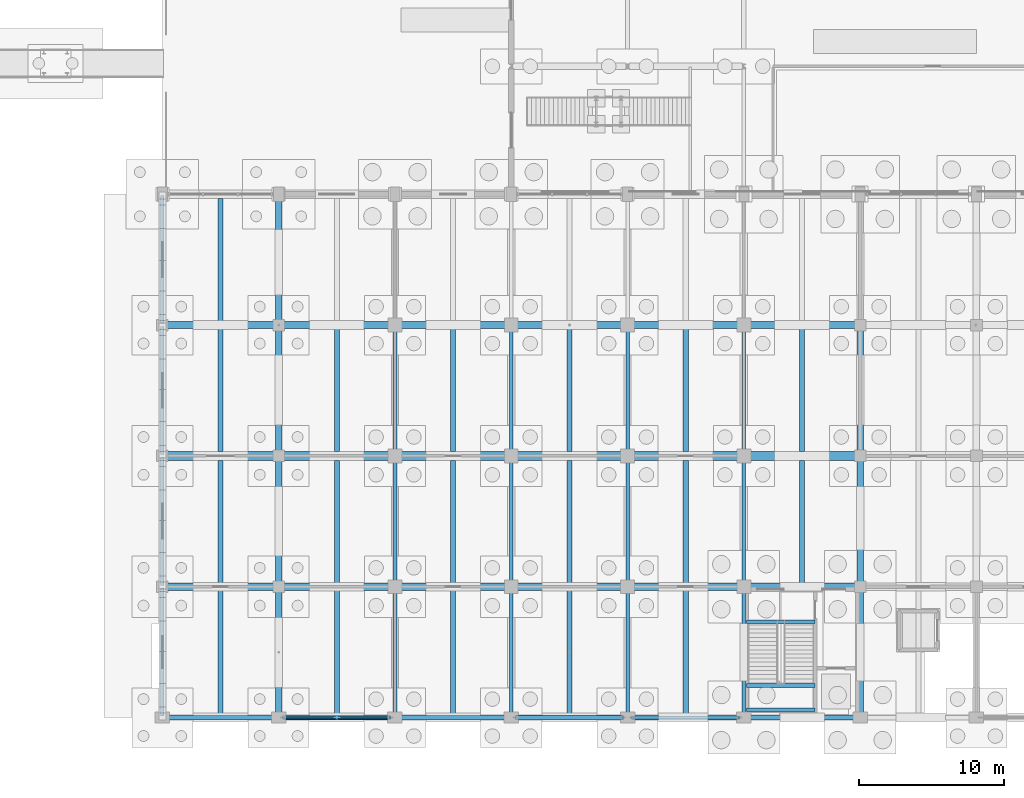
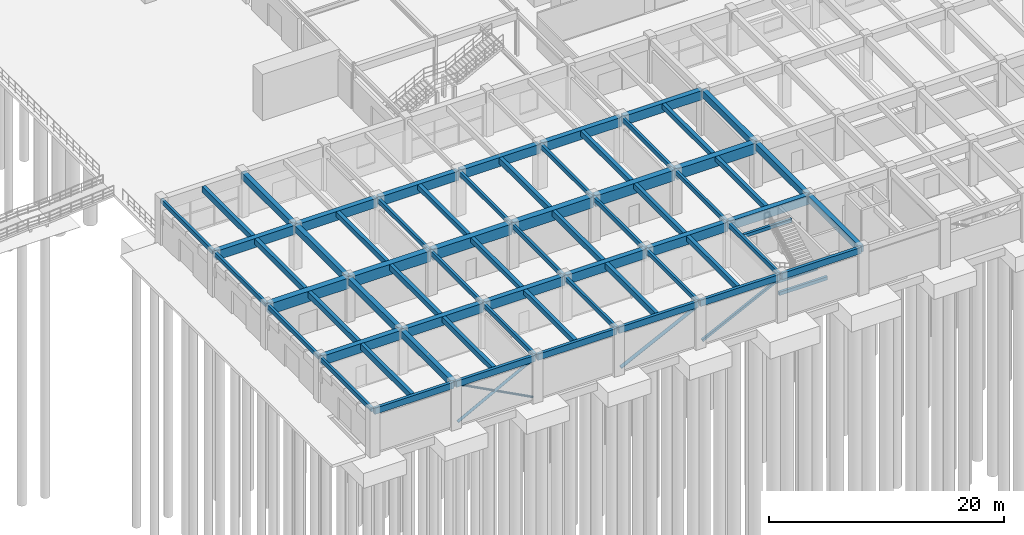
# One storey, part 28 of 147: 68 beams, 5 members.
"""IFC4 building model written with IfcOpenShell, lengths in metres."""

from ifc_helpers import new_model, si_unit, direction, frame, origin, origin_2d, place, context, subcontext, project, spatial, rectangle, hollow_rectangle, hollow_circle, extrude, material, material_profile, profile_set, type_object, element, save


model = new_model("IFC4")

# Units and contexts
model_context = context("Model", 3, precision=1e-05, world=origin(), true_north=direction((0.0, 1.0)))
body_context = subcontext(model_context, "Body", "Model", "MODEL_VIEW")
ifc_project = project(units=[si_unit("LENGTHUNIT", "METRE"), si_unit("AREAUNIT", "SQUARE_METRE"), si_unit("VOLUMEUNIT", "CUBIC_METRE"), si_unit("PLANEANGLEUNIT", "RADIAN"), si_unit("MASSUNIT", "GRAM", prefix="KILO")], contexts=[model_context])

# Site, building, storey
site_placement = place(None, origin())
site = spatial("IfcSite", under=ifc_project, at=site_placement, CompositionType="ELEMENT")
building_placement = place(site_placement, origin())
building = spatial("IfcBuilding", under=site, at=building_placement, Name="Varnabhumi Central Station", CompositionType="ELEMENT")
storey_placement = place(building_placement, origin())
storey = spatial("IfcBuildingStorey", under=building, at=storey_placement, Name="L00", CompositionType="ELEMENT", Elevation=0.0)

# Beams
ifc_material_1 = material(Name="Concrete M35", Category="concrete")
ifc_material_profile_1 = material_profile(ifc_material_1, rectangle(XDim=0.25, YDim=0.35009765625, at=origin_2d()), Name="Concrete M35", Category="concrete")
ifc_profile_set_1 = profile_set([ifc_material_profile_1], Name="Concrete M35")
beam_type_1 = type_object("IfcBeamType", Name="BM-RC-250x350", PredefinedType="LINTEL", material=ifc_profile_set_1)
for number, where, z_axis, x_axis, name in (
    (1, (40.179931640625, 0.5400390625, 2.044921875), (1.0, 0.0, 0.0), (0.0, 1.0, 0.0), "ST-S1 L00 Half Landing Support Beam 1"),
    (2, (40.179931640625, 2.205078125, 2.044921875), (1.0, 0.0, 0.0), (0.0, 1.0, 0.0), "ST-S1 L00 Half Landing Support Beam 2"),
    (3, (40.179931640625, 6.580078125, 4.375), (1.0, 0.0, 0.0), (0.0, 1.0, 0.0), "ST-S1 L00 Floor Opening Trimmer Beam"),
):
    element("IfcBeam", number, at=place(storey_placement, frame(where, z_axis=z_axis, x_axis=x_axis)), inside=storey, type_object=beam_type_1, Name=name, PredefinedType="LINTEL", context=body_context, shape_type="SweptSolid", body=[
        extrude(rectangle(XDim=0.25, YDim=0.35009765625, at=origin_2d()), origin(), (0.0, 0.0, 1.0), 4.719970703125),
    ])
ifc_material_profile_2 = material_profile(ifc_material_1, rectangle(XDim=0.25, YDim=0.449951171875, at=origin_2d()), Name="Concrete M35", Category="concrete")
ifc_profile_set_2 = profile_set([ifc_material_profile_2], Name="Concrete M35")
beam_type_2 = type_object("IfcBeamType", Name="BM-RC-250x450", PredefinedType="LINTEL", material=ifc_profile_set_2)
for number, where, z_axis, x_axis, name in (
    (4, (0.0, 0.10009765625, 4.324951171875), (0.0, 1.0, 0.0), (-1.0, 0.0, 0.0), "Beam L00-1:A-B"),
    (5, (16.0, 0.10009765625, 4.324951171875), (0.0, 1.0, 0.0), (-1.0, 0.0, 0.0), "Beam L00-3:A-B"),
    (6, (24.0, 0.10009765625, 4.324951171875), (0.0, 1.0, 0.0), (-1.0, 0.0, 0.0), "Beam L00-4:A-B"),
    (7, (32.0, 0.10009765625, 4.324951171875), (0.0, 1.0, 0.0), (-1.0, 0.0, 0.0), "Beam L00-5:A-B"),
    (8, (40.0, 0.10009765625, 4.324951171875), (0.0, 1.0, 0.0), (-1.0, 0.0, 0.0), "Beam L00-6:A-B"),
    (9, (0.0, 9.10009765625, 4.324951171875), (0.0, 1.0, 0.0), (-1.0, 0.0, 0.0), "Beam L00-1:B-C"),
    (10, (16.0, 9.10009765625, 4.324951171875), (0.0, 1.0, 0.0), (-1.0, 0.0, 0.0), "Beam L00-3:B-C"),
    (11, (24.0, 9.10009765625, 4.324951171875), (0.0, 1.0, 0.0), (-1.0, 0.0, 0.0), "Beam L00-4:B-C"),
    (12, (32.0, 9.10009765625, 4.324951171875), (0.0, 1.0, 0.0), (-1.0, 0.0, 0.0), "Beam L00-5:B-C"),
    (13, (40.0, 9.10009765625, 4.324951171875), (0.0, 1.0, 0.0), (-1.0, 0.0, 0.0), "Beam L00-6:B-C"),
    (14, (0.0, 18.10009765625, 4.324951171875), (0.0, 1.0, 0.0), (-1.0, 0.0, 0.0), "Beam L00-1:C-D"),
    (15, (16.0, 18.10009765625, 4.324951171875), (0.0, 1.0, 0.0), (-1.0, 0.0, 0.0), "Beam L00-3:C-D"),
    (16, (24.0, 18.10009765625, 4.324951171875), (0.0, 1.0, 0.0), (-1.0, 0.0, 0.0), "Beam L00-4:C-D"),
    (17, (32.0, 18.10009765625, 4.324951171875), (0.0, 1.0, 0.0), (-1.0, 0.0, 0.0), "Beam L00-5:C-D"),
    (18, (40.0, 18.10009765625, 4.324951171875), (0.0, 1.0, 0.0), (-1.0, 0.0, 0.0), "Beam L00-6:C-D"),
    (19, (0.0, 27.10009765625, 4.324951171875), (0.0, 1.0, 0.0), (-1.0, 0.0, 0.0), "Beam L00-1:D-E"),
):
    element("IfcBeam", number, at=place(storey_placement, frame(where, z_axis=z_axis, x_axis=x_axis)), inside=storey, type_object=beam_type_2, Name=name, PredefinedType="LINTEL", context=body_context, shape_type="SweptSolid", body=[
        extrude(rectangle(XDim=0.25, YDim=0.449951171875, at=origin_2d()), origin(), (0.0, 0.0, 1.0), 8.7998046875),
    ])
ifc_material_2 = material(Name="Concrete M40", Category="concrete")
ifc_material_profile_3 = material_profile(ifc_material_2, rectangle(XDim=0.300048828125, YDim=0.64990234375, at=origin_2d()), Name="Concrete M40", Category="concrete")
ifc_profile_set_3 = profile_set([ifc_material_profile_3], Name="Concrete M40")
beam_type_3 = type_object("IfcBeamType", Name="BM-RC-300x650", PredefinedType="SPANDREL", material=ifc_profile_set_3)
for number, where, z_axis, x_axis, name in (
    (20, (0.10009765625, 0.0, 4.22509765625), (1.0, 0.0, 0.0), (0.0, 1.0, 0.0), "Beam L00-A:1-2"),
    (21, (8.10009765625, 0.0, 4.22509765625), (1.0, 0.0, 0.0), (0.0, 1.0, 0.0), "Beam L00-A:2-3"),
    (22, (16.10009765625, 0.0, 4.22509765625), (1.0, 0.0, 0.0), (0.0, 1.0, 0.0), "Beam L00-A:3-4"),
    (23, (24.10009765625, 0.0, 4.22509765625), (1.0, 0.0, 0.0), (0.0, 1.0, 0.0), "Beam L00-A:4-5"),
    (24, (32.10009765625, 0.0, 4.22509765625), (1.0, 0.0, 0.0), (0.0, 1.0, 0.0), "Beam L00-A:5-6"),
    (25, (40.10009765625, 0.0, 4.22509765625), (1.0, 0.0, 0.0), (0.0, 1.0, 0.0), "Beam L00-A:6-7"),
):
    element("IfcBeam", number, at=place(storey_placement, frame(where, z_axis=z_axis, x_axis=x_axis)), inside=storey, type_object=beam_type_3, Name=name, PredefinedType="SPANDREL", context=body_context, shape_type="SweptSolid", body=[
        extrude(rectangle(XDim=0.300048828125, YDim=0.64990234375, at=origin_2d()), origin(), (0.0, 0.0, 1.0), 7.7998046875),
    ])
ifc_material_profile_4 = material_profile(ifc_material_2, rectangle(XDim=0.35009765625, YDim=0.5, at=origin_2d()), Name="Concrete M40", Category="concrete")
ifc_profile_set_4 = profile_set([ifc_material_profile_4], Name="Concrete M40")
beam_type_4 = type_object("IfcBeamType", Name="BM-RC-350x500", PredefinedType="JOIST", material=ifc_profile_set_4)
beam_placement = place(storey_placement, frame((20.0, 0.14990234375, 4.300048828125), z_axis=(0.0, 1.0, 0.0), x_axis=(-1.0, 0.0, 0.0)))
element("IfcBeam", 26, at=beam_placement, inside=storey, type_object=beam_type_4, Name="Secondary Joist L00-3/4:A-B", PredefinedType="JOIST", context=body_context, shape_type="SweptSolid", body=[
    extrude(rectangle(XDim=0.35009765625, YDim=0.5, at=origin_2d()), origin(), (0.0, 0.0, 1.0), 8.60009765625),
])
for number, where, z_axis, x_axis, name in (
    (27, (20.0, 9.25, 4.300048828125), (0.0, 1.0, 0.0), (-1.0, 0.0, 0.0), "Secondary Joist L00-3/4:B-C"),
    (28, (44.0, 9.25, 4.300048828125), (0.0, 1.0, 0.0), (-1.0, 0.0, 0.0), "Secondary Joist L00-6/7:B-C"),
    (29, (20.0, 18.300048828125, 4.300048828125), (0.0, 1.0, 0.0), (-1.0, 0.0, 0.0), "Secondary Joist L00-3/4:C-D"),
    (30, (44.0, 18.300048828125, 4.300048828125), (0.0, 1.0, 0.0), (-1.0, 0.0, 0.0), "Secondary Joist L00-6/7:C-D"),
):
    element("IfcBeam", number, at=place(storey_placement, frame(where, z_axis=z_axis, x_axis=x_axis)), inside=storey, type_object=beam_type_4, Name=name, PredefinedType="JOIST", context=body_context, shape_type="SweptSolid", body=[
        extrude(rectangle(XDim=0.35009765625, YDim=0.5, at=origin_2d()), origin(), (0.0, 0.0, 1.0), 8.449951171875),
    ])
ifc_material_profile_5 = material_profile(ifc_material_2, rectangle(XDim=0.35009765625, YDim=0.550048828125, at=origin_2d()), Name="Concrete M40", Category="concrete")
ifc_profile_set_5 = profile_set([ifc_material_profile_5], Name="Concrete M40")
beam_type_5 = type_object("IfcBeamType", Name="BM-RC-350x550", PredefinedType="JOIST", material=ifc_profile_set_5)
for number, where, z_axis, x_axis, name in (
    (31, (12.0, 0.14990234375, 4.27490234375), (0.0, 1.0, 0.0), (-1.0, 0.0, 0.0), "Secondary Joist L00-2/3:A-B"),
    (32, (36.0, 0.14990234375, 4.27490234375), (0.0, 1.0, 0.0), (-1.0, 0.0, 0.0), "Secondary Joist L00-5/6:A-B"),
):
    element("IfcBeam", number, at=place(storey_placement, frame(where, z_axis=z_axis, x_axis=x_axis)), inside=storey, type_object=beam_type_5, Name=name, PredefinedType="JOIST", context=body_context, shape_type="SweptSolid", body=[
        extrude(rectangle(XDim=0.35009765625, YDim=0.550048828125, at=origin_2d()), origin(), (0.0, 0.0, 1.0), 8.60009765625),
    ])
for number, where, z_axis, x_axis, name in (
    (33, (12.0, 9.25, 4.27490234375), (0.0, 1.0, 0.0), (-1.0, 0.0, 0.0), "Secondary Joist L00-2/3:B-C"),
    (34, (36.0, 9.25, 4.27490234375), (0.0, 1.0, 0.0), (-1.0, 0.0, 0.0), "Secondary Joist L00-5/6:B-C"),
    (35, (12.0, 18.300048828125, 4.27490234375), (0.0, 1.0, 0.0), (-1.0, 0.0, 0.0), "Secondary Joist L00-2/3:C-D"),
    (36, (36.0, 18.300048828125, 4.27490234375), (0.0, 1.0, 0.0), (-1.0, 0.0, 0.0), "Secondary Joist L00-5/6:C-D"),
):
    element("IfcBeam", number, at=place(storey_placement, frame(where, z_axis=z_axis, x_axis=x_axis)), inside=storey, type_object=beam_type_5, Name=name, PredefinedType="JOIST", context=body_context, shape_type="SweptSolid", body=[
        extrude(rectangle(XDim=0.35009765625, YDim=0.550048828125, at=origin_2d()), origin(), (0.0, 0.0, 1.0), 8.449951171875),
    ])
ifc_material_profile_6 = material_profile(ifc_material_2, rectangle(XDim=0.449951171875, YDim=0.699951171875, at=origin_2d()), Name="Concrete M40", Category="concrete")
ifc_profile_set_6 = profile_set([ifc_material_profile_6], Name="Concrete M40")
beam_type_6 = type_object("IfcBeamType", Name="BM-RC-450x700", PredefinedType="BEAM", material=ifc_profile_set_6)
for number, where, z_axis, x_axis, name in (
    (37, (8.0, 0.10009765625, 4.199951171875), (0.0, 1.0, 0.0), (-1.0, 0.0, 0.0), "Beam L00-2:A-B"),
    (38, (48.0, 0.10009765625, 4.199951171875), (0.0, 1.0, 0.0), (-1.0, 0.0, 0.0), "Beam L00-7:A-B"),
    (39, (8.0, 9.10009765625, 4.199951171875), (0.0, 1.0, 0.0), (-1.0, 0.0, 0.0), "Beam L00-2:B-C"),
    (40, (48.0, 9.10009765625, 4.199951171875), (0.0, 1.0, 0.0), (-1.0, 0.0, 0.0), "Beam L00-7:B-C"),
    (41, (8.0, 18.10009765625, 4.199951171875), (0.0, 1.0, 0.0), (-1.0, 0.0, 0.0), "Beam L00-2:C-D"),
    (42, (48.0, 18.10009765625, 4.199951171875), (0.0, 1.0, 0.0), (-1.0, 0.0, 0.0), "Beam L00-7:C-D"),
    (43, (8.0, 27.10009765625, 4.199951171875), (0.0, 1.0, 0.0), (-1.0, 0.0, 0.0), "Beam L00-2:D-E"),
):
    element("IfcBeam", number, at=place(storey_placement, frame(where, z_axis=z_axis, x_axis=x_axis)), inside=storey, type_object=beam_type_6, Name=name, PredefinedType="BEAM", context=body_context, shape_type="SweptSolid", body=[
        extrude(rectangle(XDim=0.449951171875, YDim=0.699951171875, at=origin_2d()), origin(), (0.0, 0.0, 1.0), 8.7998046875),
    ])
ifc_material_profile_7 = material_profile(ifc_material_2, rectangle(XDim=0.5, YDim=0.949951171875, at=origin_2d()), Name="Concrete M40", Category="concrete")
ifc_profile_set_7 = profile_set([ifc_material_profile_7], Name="Concrete M40")
beam_type_7 = type_object("IfcBeamType", Name="BM-RC-500x950", PredefinedType="BEAM", material=ifc_profile_set_7)
for number, where, z_axis, x_axis, name in (
    (44, (0.10009765625, 9.0, 4.074951171875), (1.0, 0.0, 0.0), (0.0, 1.0, 0.0), "Beam L00-B:1-2"),
    (45, (0.10009765625, 27.0, 4.074951171875), (1.0, 0.0, 0.0), (0.0, 1.0, 0.0), "Beam L00-D:1-2"),
    (46, (8.10009765625, 9.0, 4.074951171875), (1.0, 0.0, 0.0), (0.0, 1.0, 0.0), "Beam L00-B:2-3"),
    (47, (8.10009765625, 27.0, 4.074951171875), (1.0, 0.0, 0.0), (0.0, 1.0, 0.0), "Beam L00-D:2-3"),
    (48, (16.10009765625, 9.0, 4.074951171875), (1.0, 0.0, 0.0), (0.0, 1.0, 0.0), "Beam L00-B:3-4"),
    (49, (16.10009765625, 27.0, 4.074951171875), (1.0, 0.0, 0.0), (0.0, 1.0, 0.0), "Beam L00-D:3-4"),
    (50, (24.10009765625, 9.0, 4.074951171875), (1.0, 0.0, 0.0), (0.0, 1.0, 0.0), "Beam L00-B:4-5"),
    (51, (24.10009765625, 27.0, 4.074951171875), (1.0, 0.0, 0.0), (0.0, 1.0, 0.0), "Beam L00-D:4-5"),
    (52, (32.10009765625, 9.0, 4.074951171875), (1.0, 0.0, 0.0), (0.0, 1.0, 0.0), "Beam L00-B:5-6"),
    (53, (32.10009765625, 27.0, 4.074951171875), (1.0, 0.0, 0.0), (0.0, 1.0, 0.0), "Beam L00-D:5-6"),
    (54, (40.10009765625, 9.0, 4.074951171875), (1.0, 0.0, 0.0), (0.0, 1.0, 0.0), "Beam L00-B:6-7"),
    (55, (40.10009765625, 27.0, 4.074951171875), (1.0, 0.0, 0.0), (0.0, 1.0, 0.0), "Beam L00-D:6-7"),
):
    element("IfcBeam", number, at=place(storey_placement, frame(where, z_axis=z_axis, x_axis=x_axis)), inside=storey, type_object=beam_type_7, Name=name, PredefinedType="BEAM", context=body_context, shape_type="SweptSolid", body=[
        extrude(rectangle(XDim=0.5, YDim=0.949951171875, at=origin_2d()), origin(), (0.0, 0.0, 1.0), 7.7998046875),
    ])
ifc_material_3 = material(Name="Concrete M50", Category="concrete")
ifc_material_profile_8 = material_profile(ifc_material_3, rectangle(XDim=0.60009765625, YDim=1.10009765625, at=origin_2d()), Name="Concrete M50", Category="concrete")
ifc_profile_set_8 = profile_set([ifc_material_profile_8], Name="Concrete M50")
beam_type_8 = type_object("IfcBeamType", Name="BM-RC-600x1100", PredefinedType="BEAM", material=ifc_profile_set_8)
for number, where, z_axis, x_axis, name in (
    (56, (0.10009765625, 18.0, 4.0), (1.0, 0.0, 0.0), (0.0, 1.0, 0.0), "Beam L00-C:1-2"),
    (57, (8.10009765625, 18.0, 4.0), (1.0, 0.0, 0.0), (0.0, 1.0, 0.0), "Beam L00-C:2-3"),
    (58, (16.10009765625, 18.0, 4.0), (1.0, 0.0, 0.0), (0.0, 1.0, 0.0), "Beam L00-C:3-4"),
    (59, (24.10009765625, 18.0, 4.0), (1.0, 0.0, 0.0), (0.0, 1.0, 0.0), "Beam L00-C:4-5"),
    (60, (32.10009765625, 18.0, 4.0), (1.0, 0.0, 0.0), (0.0, 1.0, 0.0), "Beam L00-C:5-6"),
    (61, (40.10009765625, 18.0, 4.0), (1.0, 0.0, 0.0), (0.0, 1.0, 0.0), "Beam L00-C:6-7"),
):
    element("IfcBeam", number, at=place(storey_placement, frame(where, z_axis=z_axis, x_axis=x_axis)), inside=storey, type_object=beam_type_8, Name=name, PredefinedType="BEAM", context=body_context, shape_type="SweptSolid", body=[
        extrude(rectangle(XDim=0.60009765625, YDim=1.10009765625, at=origin_2d()), origin(), (0.0, 0.0, 1.0), 7.7998046875),
    ])
ifc_material_profile_9 = material_profile(ifc_material_2, rectangle(XDim=0.35009765625, YDim=0.60009765625, at=origin_2d()), Name="Concrete M40", Category="concrete")
ifc_profile_set_9 = profile_set([ifc_material_profile_9], Name="Concrete M40")
beam_type_9 = type_object("IfcBeamType", Name="BM-RC-600x350", PredefinedType="JOIST", material=ifc_profile_set_9)
for number, where, z_axis, x_axis, name in (
    (62, (4.0, 0.14990234375, 4.25), (0.0, 1.0, 0.0), (-1.0, 0.0, 0.0), "Secondary Joist L00-1/2:A-B"),
    (63, (28.0, 0.14990234375, 4.25), (0.0, 1.0, 0.0), (-1.0, 0.0, 0.0), "Secondary Joist L00-4/5:A-B"),
):
    element("IfcBeam", number, at=place(storey_placement, frame(where, z_axis=z_axis, x_axis=x_axis)), inside=storey, type_object=beam_type_9, Name=name, PredefinedType="JOIST", context=body_context, shape_type="SweptSolid", body=[
        extrude(rectangle(XDim=0.35009765625, YDim=0.60009765625, at=origin_2d()), origin(), (0.0, 0.0, 1.0), 8.60009765625),
    ])
for number, where, z_axis, x_axis, name in (
    (64, (4.0, 9.25, 4.25), (0.0, 1.0, 0.0), (-1.0, 0.0, 0.0), "Secondary Joist L00-1/2:B-C"),
    (65, (28.0, 9.25, 4.25), (0.0, 1.0, 0.0), (-1.0, 0.0, 0.0), "Secondary Joist L00-4/5:B-C"),
    (66, (4.0, 18.300048828125, 4.25), (0.0, 1.0, 0.0), (-1.0, 0.0, 0.0), "Secondary Joist L00-1/2:C-D"),
    (67, (28.0, 18.300048828125, 4.25), (0.0, 1.0, 0.0), (-1.0, 0.0, 0.0), "Secondary Joist L00-4/5:C-D"),
    (68, (4.0, 27.25, 4.25), (0.0, 1.0, 0.0), (-1.0, 0.0, 0.0), "Secondary Joist L00-1/2:D-E"),
):
    element("IfcBeam", number, at=place(storey_placement, frame(where, z_axis=z_axis, x_axis=x_axis)), inside=storey, type_object=beam_type_9, Name=name, PredefinedType="JOIST", context=body_context, shape_type="SweptSolid", body=[
        extrude(rectangle(XDim=0.35009765625, YDim=0.60009765625, at=origin_2d()), origin(), (0.0, 0.0, 1.0), 8.449951171875),
    ])

# Members
ifc_material_4 = material(Name="Structural steel E350", Category="steel")
ifc_material_profile_10 = material_profile(ifc_material_4, hollow_circle(Radius=0.109619140625, WallThickness=0.010009765625, at=origin_2d()), Name="Structural steel E350", Category="steel")
ifc_profile_set_10 = profile_set([ifc_material_profile_10], Name="Structural steel E350")
member_type_1 = type_object("IfcMemberType", Name="MBR-BRACE-CHS219", PredefinedType="BRACE", material=ifc_profile_set_10)
for number, where, z_axis, x_axis, name in (
    (69, (8.320068359375, 0.0, 4.10009765625), (0.883593583311, 0.0, -0.468254609729), (0.0, 1.0, 0.0), "Spine Lateral Split Brace L00-A:2-3B1"),
    (70, (12.141357421875, 0.0, 2.0751953125), (0.883593583311, 0.0, -0.468254609729), (0.0, 1.0, 0.0), "Spine Lateral Split Brace L00-A:2-3B2"),
):
    element("IfcMember", number, at=place(storey_placement, frame(where, z_axis=z_axis, x_axis=x_axis)), inside=storey, type_object=member_type_1, Name=name, PredefinedType="BRACE", context=body_context, shape_type="SweptSolid", body=[
        extrude(hollow_circle(Radius=0.109619140625, WallThickness=0.010009765625, at=origin_2d()), origin(), (0.0, 0.0, 1.0), 4.004638671875),
    ])
ifc_material_profile_11 = material_profile(ifc_material_4, hollow_circle(Radius=0.136474609375, WallThickness=0.011962890625, at=origin_2d()), Name="Structural steel E350", Category="steel")
ifc_profile_set_11 = profile_set([ifc_material_profile_11], Name="Structural steel E350")
member_type_2 = type_object("IfcMemberType", Name="MBR-BRACE-CHS273", PredefinedType="BRACE", material=ifc_profile_set_11)
member_1_placement = place(storey_placement, frame((8.320068359375, 0.0, 0.199951171875), z_axis=(0.88360176282, 0.0, 0.468239174718), x_axis=(0.0, 1.0, 0.0)))
element("IfcMember", 71, at=member_1_placement, inside=storey, type_object=member_type_2, Name="Spine Lateral Continuous Brace L00-A:2-3A", PredefinedType="BRACE", context=body_context, shape_type="SweptSolid", body=[
    extrude(hollow_circle(Radius=0.136474609375, WallThickness=0.011962890625, at=origin_2d()), origin(), (0.0, 0.0, 1.0), 8.329345703125),
])
ifc_material_profile_12 = material_profile(ifc_material_4, hollow_rectangle(XDim=0.25, YDim=0.25, WallThickness=0.011962890625, InnerFilletRadius=0.011962890625, OuterFilletRadius=0.02392578125, at=origin_2d()), Name="Structural steel E350", Category="steel")
ifc_profile_set_12 = profile_set([ifc_material_profile_12], Name="Structural steel E350")
member_type_3 = type_object("IfcMemberType", Name="MBR-CHORD-SHS250", PredefinedType="CHORD", material=ifc_profile_set_12)
member_2_placement = place(storey_placement, frame((32.320068359375, 0.0, 0.25), z_axis=(0.895884545566, 0.0, 0.444286935455), x_axis=(0.0, 1.0, 0.0)))
element("IfcMember", 72, at=member_2_placement, inside=storey, type_object=member_type_3, Name="Lateral Frame Brace WB-6", PredefinedType="CHORD", context=body_context, shape_type="SweptSolid", body=[
    extrude(hollow_rectangle(XDim=0.25, YDim=0.25, WallThickness=0.011962890625, InnerFilletRadius=0.011962890625, OuterFilletRadius=0.02392578125, at=origin_2d()), origin(), (0.0, 0.0, 1.0), 8.215087890625),
])
ifc_material_profile_13 = material_profile(ifc_material_4, hollow_circle(Radius=0.161865234375, WallThickness=0.011962890625, at=origin_2d()), Name="Structural steel E350", Category="steel")
ifc_profile_set_13 = profile_set([ifc_material_profile_13], Name="Structural steel E350")
member_type_4 = type_object("IfcMemberType", Name="MBR-STRUT-CHS324", PredefinedType="STRUT", material=ifc_profile_set_13)
member_3_placement = place(storey_placement, frame((24.320068359375, 0.0, 0.25), z_axis=(0.895884545566, 0.0, 0.444286935455), x_axis=(0.0, 1.0, 0.0)))
element("IfcMember", 73, at=member_3_placement, inside=storey, type_object=member_type_4, Name="Lateral Frame Brace WB-1", PredefinedType="STRUT", context=body_context, shape_type="SweptSolid", body=[
    extrude(hollow_circle(Radius=0.161865234375, WallThickness=0.011962890625, at=origin_2d()), origin(), (0.0, 0.0, 1.0), 8.215087890625),
])

save(model, "model.ifc")
